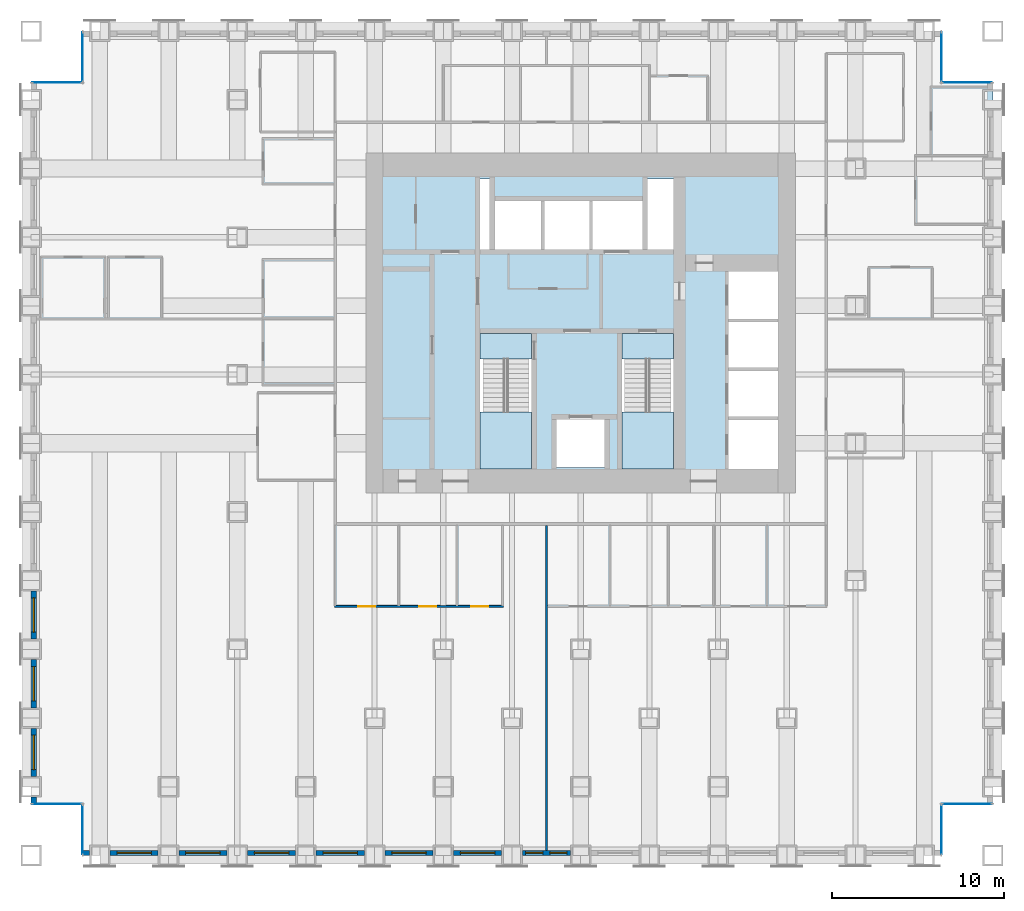
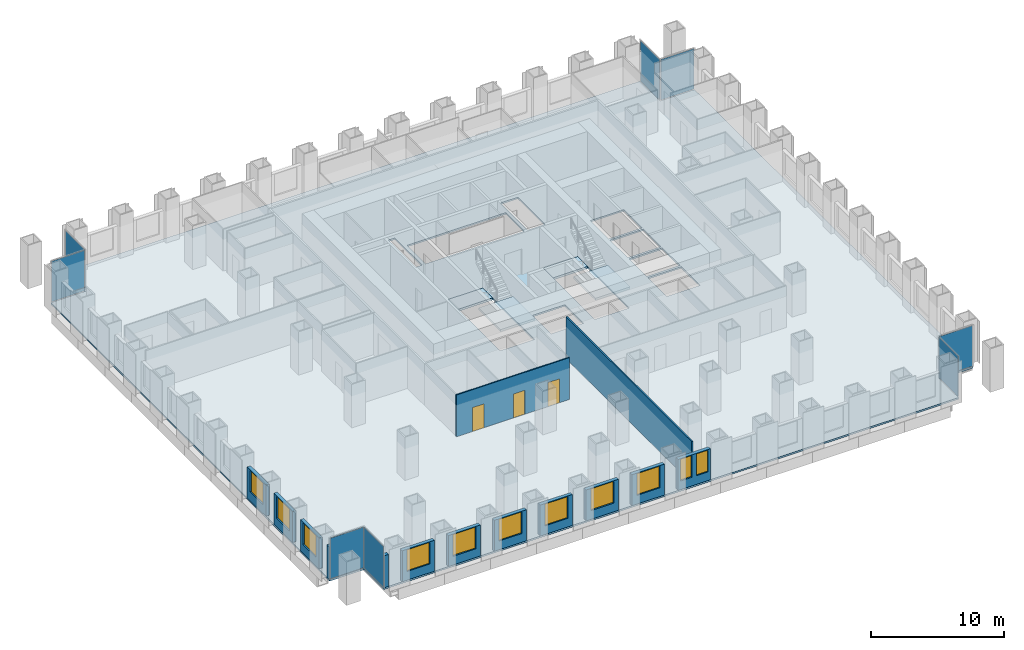
# One storey, part 8 of 15: 14 walls, 11 windows, 8 plates, 5 slabs, 3 doors, 14 openings, 10 elements without a shape of their own.
"""IFC4 building model written with IfcOpenShell, lengths in metres."""

from ifc_helpers import new_model, si_unit, direction, frame, frame_2d, origin, origin_2d, place, context, subcontext, project, spatial, polyline, rectangle, outline, extrude, material, layer, layer_set, type_object, element, fill, aggregate, save


model = new_model("IFC4")

# Units and contexts
model_context = context("Model", 3, precision=1e-05, world=origin(), true_north=direction((0.0, 1.0)))
body_context = subcontext(model_context, "Body", "Model", "MODEL_VIEW")
ifc_project = project(units=[si_unit("LENGTHUNIT", "METRE"), si_unit("AREAUNIT", "SQUARE_METRE"), si_unit("VOLUMEUNIT", "CUBIC_METRE"), si_unit("PLANEANGLEUNIT", "RADIAN"), si_unit("MASSUNIT", "GRAM", prefix="KILO")], contexts=[model_context])

# Site, building, storey
site_placement = place(None, origin())
site = spatial("IfcSite", under=ifc_project, at=site_placement, CompositionType="ELEMENT")
building_placement = place(site_placement, origin())
building = spatial("IfcBuilding", under=site, at=building_placement, Name="Rimbunsela Tower", CompositionType="ELEMENT")
storey_placement = place(building_placement, frame((0.0, 0.0, 19.0)))
storey = spatial("IfcBuildingStorey", under=building, at=storey_placement, Name="L04", CompositionType="ELEMENT", Elevation=19.0)

# Slab
ifc_material_1 = material(Name="Concrete fc' 35 MPa", Category="concrete")
ifc_layer_1 = layer(ifc_material_1, 0.14990234375)
ifc_layer_set_1 = layer_set([ifc_layer_1], Name="Floor slab 150")
slab_type_1 = type_object("IfcSlabType", Name="Floor slab 150", PredefinedType="FLOOR", material=ifc_layer_set_1)
slab_1_placement = place(storey_placement, frame((0.0, 0.0, -0.14990234375)))
element("IfcSlab", 1, at=slab_1_placement, inside=storey, type_object=slab_type_1, Name="Floor slab L04", PredefinedType="FLOOR", context=body_context, shape_type="SweptSolid", body=[
    extrude(outline(polyline([(1.0, -4.0), (51.0, -4.0), (51.0, -1.0), (54.0, -1.0), (54.0, 41.0), (51.0, 41.0), (51.0, 44.0), (1.0, 44.0), (1.0, 41.0), (-2.0, 41.0), (-2.0, -1.0), (1.0, -1.0), (1.0, -4.0)]), holes=[polyline([(27.14990234375, 18.60009765625), (27.14990234375, 26.39990234375), (24.14990234375, 26.39990234375), (24.14990234375, 18.60009765625), (27.14990234375, 18.60009765625)]), polyline([(24.699951171875, 31.300048828125), (24.699951171875, 35.39990234375), (24.14990234375, 35.39990234375), (24.14990234375, 31.300048828125), (24.699951171875, 31.300048828125)]), polyline([(25.0, 34.10009765625), (25.0, 31.300048828125), (33.60009765625, 31.300048828125), (33.60009765625, 34.10009765625), (25.0, 34.10009765625)]), polyline([(31.39990234375, 21.39990234375), (28.60009765625, 21.39990234375), (28.60009765625, 18.60009765625), (31.39990234375, 18.60009765625), (31.39990234375, 21.39990234375)]), polyline([(35.39990234375, 18.60009765625), (35.39990234375, 26.39990234375), (32.39990234375, 26.39990234375), (32.39990234375, 18.60009765625), (35.39990234375, 18.60009765625)]), polyline([(35.39990234375, 31.300048828125), (35.39990234375, 35.39990234375), (33.89990234375, 35.39990234375), (33.89990234375, 31.300048828125), (35.39990234375, 31.300048828125)]), polyline([(41.5, 21.35009765625), (38.60009765625, 21.35009765625), (38.60009765625, 18.5), (41.5, 18.5), (41.5, 21.35009765625)]), polyline([(41.5, 21.550048828125), (41.5, 24.199951171875), (38.60009765625, 24.199951171875), (38.60009765625, 21.550048828125), (41.5, 21.550048828125)]), polyline([(41.5, 27.050048828125), (38.60009765625, 27.050048828125), (38.60009765625, 24.39990234375), (41.5, 24.39990234375), (41.5, 27.050048828125)]), polyline([(41.5, 27.25), (41.5, 30.0), (38.60009765625, 30.0), (38.60009765625, 27.25), (41.5, 27.25)])]), origin(), (0.0, 0.0, 1.0), 0.14990234375),
])

# Curtain wall, plate
ifc_material_2 = material(Name="Aluminium curtain wall", Category="aluminium")
curtain_wall_type = type_object("IfcCurtainWallType", Name="Corner glazing", PredefinedType="USERDEFINED", material=ifc_material_2)
curtain_wall_1_placement = place(storey_placement, origin())
curtain_wall_1 = element("IfcCurtainWall", 2, at=curtain_wall_1_placement, inside=storey, type_object=curtain_wall_type, Name="Corner glazing L04", ObjectType="CORNER GLAZING", PredefinedType="USERDEFINED")
ifc_material_3 = material(Name="Clear double glazing", Category="glass")
ifc_layer_2 = layer(ifc_material_3, 0.028076171875)
ifc_layer_set_2 = layer_set([ifc_layer_2], Name="Glazed panel clear")
plate_type = type_object("IfcPlateType", Name="Glazed panel clear", PredefinedType="CURTAIN_PANEL", material=ifc_layer_set_2)
plate_1_placement = place(storey_placement, frame((51.0, -2.5, 0.06005859375), z_axis=(0.0, 0.0, 1.0), x_axis=(0.0, 1.0, 0.0)))
plate_1 = element("IfcPlate", 3, at=plate_1_placement, type_object=plate_type, Name="CW5 panel 1.1", PredefinedType="CURTAIN_PANEL", context=body_context, shape_type="SweptSolid", body=[
    extrude(rectangle(XDim=2.8798828125, YDim=0.028076171875, at=origin_2d()), origin(), (0.0, 0.0, 1.0), 3.72998046875),
])
aggregate(curtain_wall_1, [plate_1])

curtain_wall_2_placement = place(storey_placement, origin())
curtain_wall_2 = element("IfcCurtainWall", 4, at=curtain_wall_2_placement, inside=storey, type_object=curtain_wall_type, Name="Corner glazing L04", ObjectType="CORNER GLAZING", PredefinedType="USERDEFINED")
plate_2_placement = place(storey_placement, frame((52.5, -1.0, 0.06005859375), z_axis=(0.0, 0.0, 1.0), x_axis=(1.0, 0.0, 0.0)))
plate_2 = element("IfcPlate", 5, at=plate_2_placement, type_object=plate_type, Name="CW5 panel 1.1", PredefinedType="CURTAIN_PANEL", context=body_context, shape_type="SweptSolid", body=[
    extrude(rectangle(XDim=2.8798828125, YDim=0.028076171875, at=origin_2d()), origin(), (0.0, 0.0, 1.0), 3.72998046875),
])
aggregate(curtain_wall_2, [plate_2])

curtain_wall_3_placement = place(storey_placement, origin())
curtain_wall_3 = element("IfcCurtainWall", 6, at=curtain_wall_3_placement, inside=storey, type_object=curtain_wall_type, Name="Corner glazing L04", ObjectType="CORNER GLAZING", PredefinedType="USERDEFINED")
plate_3_placement = place(storey_placement, frame((52.5, 41.0, 0.06005859375), z_axis=(0.0, 0.0, 1.0), x_axis=(-1.0, 0.0, 0.0)))
plate_3 = element("IfcPlate", 7, at=plate_3_placement, type_object=plate_type, Name="CW5 panel 1.1", PredefinedType="CURTAIN_PANEL", context=body_context, shape_type="SweptSolid", body=[
    extrude(rectangle(XDim=2.8798828125, YDim=0.028076171875, at=origin_2d()), origin(), (0.0, 0.0, 1.0), 3.72998046875),
])
aggregate(curtain_wall_3, [plate_3])

curtain_wall_4_placement = place(storey_placement, origin())
curtain_wall_4 = element("IfcCurtainWall", 8, at=curtain_wall_4_placement, inside=storey, type_object=curtain_wall_type, Name="Corner glazing L04", ObjectType="CORNER GLAZING", PredefinedType="USERDEFINED")
plate_4_placement = place(storey_placement, frame((51.0, 42.5, 0.06005859375), z_axis=(0.0, 0.0, 1.0), x_axis=(0.0, 1.0, 0.0)))
plate_4 = element("IfcPlate", 9, at=plate_4_placement, type_object=plate_type, Name="CW5 panel 1.1", PredefinedType="CURTAIN_PANEL", context=body_context, shape_type="SweptSolid", body=[
    extrude(rectangle(XDim=2.8798828125, YDim=0.028076171875, at=origin_2d()), origin(), (0.0, 0.0, 1.0), 3.72998046875),
])
aggregate(curtain_wall_4, [plate_4])

curtain_wall_5_placement = place(storey_placement, origin())
curtain_wall_5 = element("IfcCurtainWall", 10, at=curtain_wall_5_placement, inside=storey, type_object=curtain_wall_type, Name="Corner glazing L04", ObjectType="CORNER GLAZING", PredefinedType="USERDEFINED")
plate_5_placement = place(storey_placement, frame((1.0, 42.5, 0.06005859375), z_axis=(0.0, 0.0, 1.0), x_axis=(0.0, -1.0, 0.0)))
plate_5 = element("IfcPlate", 11, at=plate_5_placement, type_object=plate_type, Name="CW5 panel 1.1", PredefinedType="CURTAIN_PANEL", context=body_context, shape_type="SweptSolid", body=[
    extrude(rectangle(XDim=2.8798828125, YDim=0.028076171875, at=origin_2d()), origin(), (0.0, 0.0, 1.0), 3.72998046875),
])
aggregate(curtain_wall_5, [plate_5])

curtain_wall_6_placement = place(storey_placement, origin())
curtain_wall_6 = element("IfcCurtainWall", 12, at=curtain_wall_6_placement, inside=storey, type_object=curtain_wall_type, Name="Corner glazing L04", ObjectType="CORNER GLAZING", PredefinedType="USERDEFINED")
plate_6_placement = place(storey_placement, frame((-0.5, 41.0, 0.06005859375), z_axis=(0.0, 0.0, 1.0), x_axis=(-1.0, 0.0, 0.0)))
plate_6 = element("IfcPlate", 13, at=plate_6_placement, type_object=plate_type, Name="CW5 panel 1.1", PredefinedType="CURTAIN_PANEL", context=body_context, shape_type="SweptSolid", body=[
    extrude(rectangle(XDim=2.8798828125, YDim=0.028076171875, at=origin_2d()), origin(), (0.0, 0.0, 1.0), 3.72998046875),
])
aggregate(curtain_wall_6, [plate_6])

curtain_wall_7_placement = place(storey_placement, origin())
curtain_wall_7 = element("IfcCurtainWall", 14, at=curtain_wall_7_placement, inside=storey, type_object=curtain_wall_type, Name="Corner glazing L04", ObjectType="CORNER GLAZING", PredefinedType="USERDEFINED")
plate_7_placement = place(storey_placement, frame((-0.5, -1.0, 0.06005859375), z_axis=(0.0, 0.0, 1.0), x_axis=(1.0, 0.0, 0.0)))
plate_7 = element("IfcPlate", 15, at=plate_7_placement, type_object=plate_type, Name="CW5 panel 1.1", PredefinedType="CURTAIN_PANEL", context=body_context, shape_type="SweptSolid", body=[
    extrude(rectangle(XDim=2.8798828125, YDim=0.028076171875, at=origin_2d()), origin(), (0.0, 0.0, 1.0), 3.72998046875),
])
aggregate(curtain_wall_7, [plate_7])

curtain_wall_8_placement = place(storey_placement, origin())
curtain_wall_8 = element("IfcCurtainWall", 16, at=curtain_wall_8_placement, inside=storey, type_object=curtain_wall_type, Name="Corner glazing L04", ObjectType="CORNER GLAZING", PredefinedType="USERDEFINED")
plate_8_placement = place(storey_placement, frame((1.0, -2.5, 0.06005859375), z_axis=(0.0, 0.0, 1.0), x_axis=(0.0, -1.0, 0.0)))
plate_8 = element("IfcPlate", 17, at=plate_8_placement, type_object=plate_type, Name="CW5 panel 1.1", PredefinedType="CURTAIN_PANEL", context=body_context, shape_type="SweptSolid", body=[
    extrude(rectangle(XDim=2.8798828125, YDim=0.028076171875, at=origin_2d()), origin(), (0.0, 0.0, 1.0), 3.72998046875),
])
aggregate(curtain_wall_8, [plate_8])

# Stair, slabs
ifc_material_4 = material(Name="Concrete fc' 35 MPa", Category="concrete")
stair_type = type_object("IfcStairType", Name="Exit stair 24 risers", PredefinedType="HALF_TURN_STAIR", material=ifc_material_4)
stair_1_placement = place(storey_placement, origin())
stair_1 = element("IfcStair", 18, at=stair_1_placement, inside=storey, type_object=stair_type, Name="Exit stair A L04", PredefinedType="HALF_TURN_STAIR")
ifc_material_5 = material(Name="Concrete fc' 35 MPa", Category="concrete")
ifc_layer_3 = layer(ifc_material_5, 0.199951171875)
ifc_layer_set_3 = layer_set([ifc_layer_3], Name="Stair landing 200")
slab_type_2 = type_object("IfcSlabType", Name="Stair landing 200", PredefinedType="LANDING", material=ifc_layer_set_3)
slab_2_placement = place(storey_placement, frame((0.0, 0.0, -0.199951171875)))
slab_2 = element("IfcSlab", 19, at=slab_2_placement, type_object=slab_type_2, Name="ST-A landing 1", PredefinedType="LANDING", context=body_context, shape_type="SweptSolid", body=[
    extrude(outline(polyline([(24.14990234375, 24.89990234375), (27.14990234375, 24.89990234375), (27.14990234375, 26.39990234375), (24.14990234375, 26.39990234375), (24.14990234375, 24.89990234375)])), origin(), (0.0, 0.0, 1.0), 0.199951171875),
])
slab_3_placement = place(storey_placement, frame((0.0, 0.0, 1.800048828125)))
slab_3 = element("IfcSlab", 20, at=slab_3_placement, type_object=slab_type_2, Name="ST-A landing 2", PredefinedType="LANDING", context=body_context, shape_type="SweptSolid", body=[
    extrude(outline(polyline([(24.14990234375, 18.5), (27.14990234375, 18.5), (27.14990234375, 21.820068359375), (24.14990234375, 21.820068359375), (24.14990234375, 18.5)])), origin(), (0.0, 0.0, 1.0), 0.199951171875),
])
aggregate(stair_1, [slab_2, slab_3])

stair_2_placement = place(storey_placement, origin())
stair_2 = element("IfcStair", 21, at=stair_2_placement, inside=storey, type_object=stair_type, Name="Exit stair B L04", PredefinedType="HALF_TURN_STAIR")
slab_4_placement = place(storey_placement, frame((0.0, 0.0, -0.199951171875)))
slab_4 = element("IfcSlab", 22, at=slab_4_placement, type_object=slab_type_2, Name="ST-B landing 1", PredefinedType="LANDING", context=body_context, shape_type="SweptSolid", body=[
    extrude(outline(polyline([(32.39990234375, 24.89990234375), (35.39990234375, 24.89990234375), (35.39990234375, 26.39990234375), (32.39990234375, 26.39990234375), (32.39990234375, 24.89990234375)])), origin(), (0.0, 0.0, 1.0), 0.199951171875),
])
slab_5_placement = place(storey_placement, frame((0.0, 0.0, 1.800048828125)))
slab_5 = element("IfcSlab", 23, at=slab_5_placement, type_object=slab_type_2, Name="ST-B landing 2", PredefinedType="LANDING", context=body_context, shape_type="SweptSolid", body=[
    extrude(outline(polyline([(32.39990234375, 18.5), (35.39990234375, 18.5), (35.39990234375, 21.820068359375), (32.39990234375, 21.820068359375), (32.39990234375, 18.5)])), origin(), (0.0, 0.0, 1.0), 0.199951171875),
])
aggregate(stair_2, [slab_4, slab_5])

# Wall, openings, doors
ifc_material_6 = material(Name="Gypsum board on steel studs", Category="steel")
ifc_layer_4 = layer(ifc_material_6, 0.10009765625)
ifc_layer_set_4 = layer_set([ifc_layer_4], Name="Office partition 100")
wall_type_1 = type_object("IfcWallType", Name="Office partition 100", PredefinedType="PARTITIONING", material=ifc_layer_set_4)
wall_1_placement = place(storey_placement, frame((15.64990234375, 10.5, 0.0), z_axis=(0.0, 0.0, 1.0), x_axis=(1.0, 0.0, 0.0)))
wall_1 = element("IfcWall", 24, at=wall_1_placement, inside=storey, type_object=wall_type_1, Name="Office partition", PredefinedType="PARTITIONING", context=body_context, shape_type="SweptSolid", body=[
    extrude(rectangle(XDim=9.85009765625, YDim=0.10009765625, at=frame_2d((4.925048828125, 0.0))), origin(), (0.0, 0.0, 1.0), 3.85009765625),
])
opening_1_placement = place(wall_1_placement, frame((1.39990234375, 0.0, 0.0)))
opening_1 = element("IfcOpeningElement", 25, at=opening_1_placement, cuts=wall_1, Name="Opening D17", PredefinedType="OPENING", context=body_context, shape_type="SweptSolid", body=[
    extrude(rectangle(XDim=1.0, YDim=2.199951171875, at=frame_2d((0.5, 1.10009765625))), frame((0.0, 0.06005859375, 0.0), z_axis=(0.0, -1.0, 0.0), x_axis=(1.0, 0.0, 0.0)), (0.0, 0.0, 1.0), 0.1201171875),
])
opening_2_placement = place(wall_1_placement, frame((4.949951171875, 0.0, 0.0)))
opening_2 = element("IfcOpeningElement", 26, at=opening_2_placement, cuts=wall_1, Name="Opening D16", PredefinedType="OPENING", context=body_context, shape_type="SweptSolid", body=[
    extrude(rectangle(XDim=1.0, YDim=2.199951171875, at=frame_2d((0.5, 1.10009765625))), frame((0.0, 0.06005859375, 0.0), z_axis=(0.0, -1.0, 0.0), x_axis=(1.0, 0.0, 0.0)), (0.0, 0.0, 1.0), 0.1201171875),
])
opening_3_placement = place(wall_1_placement, frame((7.97509765625, 0.0, 0.0)))
opening_3 = element("IfcOpeningElement", 27, at=opening_3_placement, cuts=wall_1, Name="Opening D16", PredefinedType="OPENING", context=body_context, shape_type="SweptSolid", body=[
    extrude(rectangle(XDim=1.0, YDim=2.199951171875, at=frame_2d((0.5, 1.10009765625))), frame((0.0, 0.06005859375, 0.0), z_axis=(0.0, -1.0, 0.0), x_axis=(1.0, 0.0, 0.0)), (0.0, 0.0, 1.0), 0.1201171875),
])
ifc_material_7 = material(Name="Glazed aluminium door", Category="aluminium")
door_type_1 = type_object("IfcDoorType", Name="Meeting room door 1000 glazed", OperationType="SINGLE_SWING_RIGHT", PredefinedType="DOOR", material=ifc_material_7)
door_1_placement = place(opening_1_placement, origin())
door_1 = element("IfcDoor", 28, at=door_1_placement, inside=storey, type_object=door_type_1, Name="Meeting room door", OperationType="SINGLE_SWING_RIGHT", OverallHeight=2.199951171875, OverallWidth=1.0, PredefinedType="DOOR", context=body_context, shape_type="SweptSolid", body=[
    extrude(rectangle(XDim=1.0, YDim=2.199951171875, at=frame_2d((0.5, 1.10009765625))), frame((0.0, 0.02490234375, 0.0), z_axis=(0.0, -1.0, 0.0), x_axis=(1.0, 0.0, 0.0)), (0.0, 0.0, 1.0), 0.050048828125),
])
fill(opening_1, door_1)
ifc_material_8 = material(Name="Timber door", Category="wood")
door_type_2 = type_object("IfcDoorType", Name="Office door 1000", OperationType="SINGLE_SWING_LEFT", PredefinedType="DOOR", material=ifc_material_8)
door_2_placement = place(opening_2_placement, origin())
door_2 = element("IfcDoor", 29, at=door_2_placement, inside=storey, type_object=door_type_2, Name="Office door", OperationType="SINGLE_SWING_LEFT", OverallHeight=2.199951171875, OverallWidth=1.0, PredefinedType="DOOR", context=body_context, shape_type="SweptSolid", body=[
    extrude(rectangle(XDim=1.0, YDim=2.199951171875, at=frame_2d((0.5, 1.10009765625))), frame((0.0, 0.02490234375, 0.0), z_axis=(0.0, -1.0, 0.0), x_axis=(1.0, 0.0, 0.0)), (0.0, 0.0, 1.0), 0.050048828125),
])
fill(opening_2, door_2)
door_3_placement = place(opening_3_placement, origin())
door_3 = element("IfcDoor", 30, at=door_3_placement, inside=storey, type_object=door_type_2, Name="Office door", OperationType="SINGLE_SWING_LEFT", OverallHeight=2.199951171875, OverallWidth=1.0, PredefinedType="DOOR", context=body_context, shape_type="SweptSolid", body=[
    extrude(rectangle(XDim=1.0, YDim=2.199951171875, at=frame_2d((0.5, 1.10009765625))), frame((0.0, 0.02490234375, 0.0), z_axis=(0.0, -1.0, 0.0), x_axis=(1.0, 0.0, 0.0)), (0.0, 0.0, 1.0), 0.050048828125),
])
fill(opening_3, door_3)

# Wall
ifc_material_9 = material(Name="Precast concrete fc' 35 MPa", Category="concrete")
ifc_layer_5 = layer(ifc_material_9, 0.300048828125)
ifc_layer_set_5 = layer_set([ifc_layer_5], Name="Precast concrete fc' 35 MPa")
wall_type_2 = type_object("IfcWallType", Name="Precast facade panel 300", PredefinedType="ELEMENTEDWALL", material=ifc_layer_set_5)
wall_2_placement = place(storey_placement, frame((1.030029296875, -3.85009765625, 0.0), z_axis=(0.0, 0.0, 1.0), x_axis=(1.0, 0.0, 0.0)))
element("IfcWall", 31, at=wall_2_placement, inside=storey, type_object=wall_type_2, Name="Facade panel S L04", PredefinedType="ELEMENTEDWALL", context=body_context, shape_type="SweptSolid", body=[
    extrude(rectangle(XDim=0.369873046875, YDim=0.300048828125, at=frame_2d((0.18505859375, 0.0))), origin(), (0.0, 0.0, 1.0), 2.949951171875),
])

# Wall, opening, window
wall_3_placement = place(storey_placement, frame((2.60009765625, -3.85009765625, 0.0), z_axis=(0.0, 0.0, 1.0), x_axis=(1.0, 0.0, 0.0)))
wall_3 = element("IfcWall", 32, at=wall_3_placement, inside=storey, type_object=wall_type_2, Name="Facade panel S L04", PredefinedType="ELEMENTEDWALL", context=body_context, shape_type="SweptSolid", body=[
    extrude(rectangle(XDim=2.7998046875, YDim=0.300048828125, at=frame_2d((1.39990234375, 0.0))), origin(), (0.0, 0.0, 1.0), 2.85009765625),
])
opening_4_placement = place(wall_3_placement, frame((0.39990234375, 0.0, 0.800048828125)))
opening_4 = element("IfcOpeningElement", 33, at=opening_4_placement, cuts=wall_3, Name="Opening W1", PredefinedType="OPENING", context=body_context, shape_type="SweptSolid", body=[
    extrude(rectangle(XDim=2.0, YDim=2.0, at=frame_2d((1.0, 1.0))), frame((0.0, 0.159912109375, 0.0), z_axis=(0.0, -1.0, 0.0), x_axis=(1.0, 0.0, 0.0)), (0.0, 0.0, 1.0), 0.320068359375),
])
ifc_material_10 = material(Name="Clear glass in aluminium frame", Category="aluminium")
window_type_1 = type_object("IfcWindowType", Name="Window W1 2000x2000", PartitioningType="DOUBLE_PANEL_VERTICAL", PredefinedType="WINDOW", material=ifc_material_10)
window_1_placement = place(opening_4_placement, origin())
window_1 = element("IfcWindow", 34, at=window_1_placement, inside=storey, type_object=window_type_1, Name="Window L04", OverallHeight=2.0, OverallWidth=2.0, PartitioningType="SINGLE_PANEL", PredefinedType="WINDOW", context=body_context, shape_type="SweptSolid", body=[
    extrude(rectangle(XDim=2.0, YDim=2.0, at=frame_2d((1.0, 1.0))), frame((0.0, 0.030029296875, 0.0), z_axis=(0.0, -1.0, 0.0), x_axis=(1.0, 0.0, 0.0)), (0.0, 0.0, 1.0), 0.06005859375),
])
fill(opening_4, window_1)

wall_4_placement = place(storey_placement, frame((6.60009765625, -3.85009765625, 0.0), z_axis=(0.0, 0.0, 1.0), x_axis=(1.0, 0.0, 0.0)))
wall_4 = element("IfcWall", 35, at=wall_4_placement, inside=storey, type_object=wall_type_2, Name="Facade panel S L04", PredefinedType="ELEMENTEDWALL", context=body_context, shape_type="SweptSolid", body=[
    extrude(rectangle(XDim=2.7998046875, YDim=0.300048828125, at=frame_2d((1.39990234375, 0.0))), origin(), (0.0, 0.0, 1.0), 2.85009765625),
])
opening_5_placement = place(wall_4_placement, frame((0.39990234375, 0.0, 0.800048828125)))
opening_5 = element("IfcOpeningElement", 36, at=opening_5_placement, cuts=wall_4, Name="Opening W1", PredefinedType="OPENING", context=body_context, shape_type="SweptSolid", body=[
    extrude(rectangle(XDim=2.0, YDim=2.0, at=frame_2d((1.0, 1.0))), frame((0.0, 0.159912109375, 0.0), z_axis=(0.0, -1.0, 0.0), x_axis=(1.0, 0.0, 0.0)), (0.0, 0.0, 1.0), 0.320068359375),
])
window_2_placement = place(opening_5_placement, origin())
window_2 = element("IfcWindow", 37, at=window_2_placement, inside=storey, type_object=window_type_1, Name="Window L04", OverallHeight=2.0, OverallWidth=2.0, PartitioningType="SINGLE_PANEL", PredefinedType="WINDOW", context=body_context, shape_type="SweptSolid", body=[
    extrude(rectangle(XDim=2.0, YDim=2.0, at=frame_2d((1.0, 1.0))), frame((0.0, 0.030029296875, 0.0), z_axis=(0.0, -1.0, 0.0), x_axis=(1.0, 0.0, 0.0)), (0.0, 0.0, 1.0), 0.06005859375),
])
fill(opening_5, window_2)

wall_5_placement = place(storey_placement, frame((10.60009765625, -3.85009765625, 0.0), z_axis=(0.0, 0.0, 1.0), x_axis=(1.0, 0.0, 0.0)))
wall_5 = element("IfcWall", 38, at=wall_5_placement, inside=storey, type_object=wall_type_2, Name="Facade panel S L04", PredefinedType="ELEMENTEDWALL", context=body_context, shape_type="SweptSolid", body=[
    extrude(rectangle(XDim=2.7998046875, YDim=0.300048828125, at=frame_2d((1.39990234375, 0.0))), origin(), (0.0, 0.0, 1.0), 2.85009765625),
])
opening_6_placement = place(wall_5_placement, frame((0.39990234375, 0.0, 0.800048828125)))
opening_6 = element("IfcOpeningElement", 39, at=opening_6_placement, cuts=wall_5, Name="Opening W1", PredefinedType="OPENING", context=body_context, shape_type="SweptSolid", body=[
    extrude(rectangle(XDim=2.0, YDim=2.0, at=frame_2d((1.0, 1.0))), frame((0.0, 0.159912109375, 0.0), z_axis=(0.0, -1.0, 0.0), x_axis=(1.0, 0.0, 0.0)), (0.0, 0.0, 1.0), 0.320068359375),
])
window_3_placement = place(opening_6_placement, origin())
window_3 = element("IfcWindow", 40, at=window_3_placement, inside=storey, type_object=window_type_1, Name="Window L04", OverallHeight=2.0, OverallWidth=2.0, PartitioningType="SINGLE_PANEL", PredefinedType="WINDOW", context=body_context, shape_type="SweptSolid", body=[
    extrude(rectangle(XDim=2.0, YDim=2.0, at=frame_2d((1.0, 1.0))), frame((0.0, 0.030029296875, 0.0), z_axis=(0.0, -1.0, 0.0), x_axis=(1.0, 0.0, 0.0)), (0.0, 0.0, 1.0), 0.06005859375),
])
fill(opening_6, window_3)

wall_6_placement = place(storey_placement, frame((14.60009765625, -3.85009765625, 0.0), z_axis=(0.0, 0.0, 1.0), x_axis=(1.0, 0.0, 0.0)))
wall_6 = element("IfcWall", 41, at=wall_6_placement, inside=storey, type_object=wall_type_2, Name="Facade panel S L04", PredefinedType="ELEMENTEDWALL", context=body_context, shape_type="SweptSolid", body=[
    extrude(rectangle(XDim=2.7998046875, YDim=0.300048828125, at=frame_2d((1.39990234375, 0.0))), origin(), (0.0, 0.0, 1.0), 2.85009765625),
])
opening_7_placement = place(wall_6_placement, frame((0.39990234375, 0.0, 0.800048828125)))
opening_7 = element("IfcOpeningElement", 42, at=opening_7_placement, cuts=wall_6, Name="Opening W1", PredefinedType="OPENING", context=body_context, shape_type="SweptSolid", body=[
    extrude(rectangle(XDim=2.0, YDim=2.0, at=frame_2d((1.0, 1.0))), frame((0.0, 0.159912109375, 0.0), z_axis=(0.0, -1.0, 0.0), x_axis=(1.0, 0.0, 0.0)), (0.0, 0.0, 1.0), 0.320068359375),
])
window_4_placement = place(opening_7_placement, origin())
window_4 = element("IfcWindow", 43, at=window_4_placement, inside=storey, type_object=window_type_1, Name="Window L04", OverallHeight=2.0, OverallWidth=2.0, PartitioningType="SINGLE_PANEL", PredefinedType="WINDOW", context=body_context, shape_type="SweptSolid", body=[
    extrude(rectangle(XDim=2.0, YDim=2.0, at=frame_2d((1.0, 1.0))), frame((0.0, 0.030029296875, 0.0), z_axis=(0.0, -1.0, 0.0), x_axis=(1.0, 0.0, 0.0)), (0.0, 0.0, 1.0), 0.06005859375),
])
fill(opening_7, window_4)

wall_7_placement = place(storey_placement, frame((18.60009765625, -3.85009765625, 0.0), z_axis=(0.0, 0.0, 1.0), x_axis=(1.0, 0.0, 0.0)))
wall_7 = element("IfcWall", 44, at=wall_7_placement, inside=storey, type_object=wall_type_2, Name="Facade panel S L04", PredefinedType="ELEMENTEDWALL", context=body_context, shape_type="SweptSolid", body=[
    extrude(rectangle(XDim=2.7998046875, YDim=0.300048828125, at=frame_2d((1.39990234375, 0.0))), origin(), (0.0, 0.0, 1.0), 2.85009765625),
])
opening_8_placement = place(wall_7_placement, frame((0.39990234375, 0.0, 0.800048828125)))
opening_8 = element("IfcOpeningElement", 45, at=opening_8_placement, cuts=wall_7, Name="Opening W1", PredefinedType="OPENING", context=body_context, shape_type="SweptSolid", body=[
    extrude(rectangle(XDim=2.0, YDim=2.0, at=frame_2d((1.0, 1.0))), frame((0.0, 0.159912109375, 0.0), z_axis=(0.0, -1.0, 0.0), x_axis=(1.0, 0.0, 0.0)), (0.0, 0.0, 1.0), 0.320068359375),
])
window_5_placement = place(opening_8_placement, origin())
window_5 = element("IfcWindow", 46, at=window_5_placement, inside=storey, type_object=window_type_1, Name="Window L04", OverallHeight=2.0, OverallWidth=2.0, PartitioningType="SINGLE_PANEL", PredefinedType="WINDOW", context=body_context, shape_type="SweptSolid", body=[
    extrude(rectangle(XDim=2.0, YDim=2.0, at=frame_2d((1.0, 1.0))), frame((0.0, 0.030029296875, 0.0), z_axis=(0.0, -1.0, 0.0), x_axis=(1.0, 0.0, 0.0)), (0.0, 0.0, 1.0), 0.06005859375),
])
fill(opening_8, window_5)

wall_8_placement = place(storey_placement, frame((22.60009765625, -3.85009765625, 0.0), z_axis=(0.0, 0.0, 1.0), x_axis=(1.0, 0.0, 0.0)))
wall_8 = element("IfcWall", 47, at=wall_8_placement, inside=storey, type_object=wall_type_2, Name="Facade panel S L04", PredefinedType="ELEMENTEDWALL", context=body_context, shape_type="SweptSolid", body=[
    extrude(rectangle(XDim=2.7998046875, YDim=0.300048828125, at=frame_2d((1.39990234375, 0.0))), origin(), (0.0, 0.0, 1.0), 2.85009765625),
])
opening_9_placement = place(wall_8_placement, frame((0.39990234375, 0.0, 0.800048828125)))
opening_9 = element("IfcOpeningElement", 48, at=opening_9_placement, cuts=wall_8, Name="Opening W1", PredefinedType="OPENING", context=body_context, shape_type="SweptSolid", body=[
    extrude(rectangle(XDim=2.0, YDim=2.0, at=frame_2d((1.0, 1.0))), frame((0.0, 0.159912109375, 0.0), z_axis=(0.0, -1.0, 0.0), x_axis=(1.0, 0.0, 0.0)), (0.0, 0.0, 1.0), 0.320068359375),
])
window_6_placement = place(opening_9_placement, origin())
window_6 = element("IfcWindow", 49, at=window_6_placement, inside=storey, type_object=window_type_1, Name="Window L04", OverallHeight=2.0, OverallWidth=2.0, PartitioningType="SINGLE_PANEL", PredefinedType="WINDOW", context=body_context, shape_type="SweptSolid", body=[
    extrude(rectangle(XDim=2.0, YDim=2.0, at=frame_2d((1.0, 1.0))), frame((0.0, 0.030029296875, 0.0), z_axis=(0.0, -1.0, 0.0), x_axis=(1.0, 0.0, 0.0)), (0.0, 0.0, 1.0), 0.06005859375),
])
fill(opening_9, window_6)

# Wall, openings, windows
wall_9_placement = place(storey_placement, frame((26.60009765625, -3.85009765625, 0.0), z_axis=(0.0, 0.0, 1.0), x_axis=(1.0, 0.0, 0.0)))
wall_9 = element("IfcWall", 50, at=wall_9_placement, inside=storey, type_object=wall_type_2, Name="Facade panel S L04", PredefinedType="ELEMENTEDWALL", context=body_context, shape_type="SweptSolid", body=[
    extrude(rectangle(XDim=2.7998046875, YDim=0.300048828125, at=frame_2d((1.39990234375, 0.0))), origin(), (0.0, 0.0, 1.0), 2.85009765625),
])
opening_10_placement = place(wall_9_placement, frame((0.199951171875, 0.0, 0.800048828125)))
opening_10 = element("IfcOpeningElement", 51, at=opening_10_placement, cuts=wall_9, Name="Opening W5", PredefinedType="OPENING", context=body_context, shape_type="SweptSolid", body=[
    extrude(rectangle(XDim=1.0, YDim=2.0, at=frame_2d((0.5, 1.0))), frame((0.0, 0.159912109375, 0.0), z_axis=(0.0, -1.0, 0.0), x_axis=(1.0, 0.0, 0.0)), (0.0, 0.0, 1.0), 0.320068359375),
])
opening_11_placement = place(wall_9_placement, frame((1.60009765625, 0.0, 0.800048828125)))
opening_11 = element("IfcOpeningElement", 52, at=opening_11_placement, cuts=wall_9, Name="Opening W5", PredefinedType="OPENING", context=body_context, shape_type="SweptSolid", body=[
    extrude(rectangle(XDim=1.0, YDim=2.0, at=frame_2d((0.5, 1.0))), frame((0.0, 0.159912109375, 0.0), z_axis=(0.0, -1.0, 0.0), x_axis=(1.0, 0.0, 0.0)), (0.0, 0.0, 1.0), 0.320068359375),
])
ifc_material_11 = material(Name="Clear glass in aluminium frame", Category="aluminium")
window_type_2 = type_object("IfcWindowType", Name="Window W5 1000x2000", PartitioningType="SINGLE_PANEL", PredefinedType="WINDOW", material=ifc_material_11)
window_7_placement = place(opening_10_placement, origin())
window_7 = element("IfcWindow", 53, at=window_7_placement, inside=storey, type_object=window_type_2, Name="Window L04", OverallHeight=2.0, OverallWidth=1.0, PartitioningType="SINGLE_PANEL", PredefinedType="WINDOW", context=body_context, shape_type="SweptSolid", body=[
    extrude(rectangle(XDim=1.0, YDim=2.0, at=frame_2d((0.5, 1.0))), frame((0.0, 0.030029296875, 0.0), z_axis=(0.0, -1.0, 0.0), x_axis=(1.0, 0.0, 0.0)), (0.0, 0.0, 1.0), 0.06005859375),
])
fill(opening_10, window_7)
window_8_placement = place(opening_11_placement, origin())
window_8 = element("IfcWindow", 54, at=window_8_placement, inside=storey, type_object=window_type_2, Name="Window L04", OverallHeight=2.0, OverallWidth=1.0, PartitioningType="SINGLE_PANEL", PredefinedType="WINDOW", context=body_context, shape_type="SweptSolid", body=[
    extrude(rectangle(XDim=1.0, YDim=2.0, at=frame_2d((0.5, 1.0))), frame((0.0, 0.030029296875, 0.0), z_axis=(0.0, -1.0, 0.0), x_axis=(1.0, 0.0, 0.0)), (0.0, 0.0, 1.0), 0.06005859375),
])
fill(opening_11, window_8)

# Wall
wall_10_placement = place(storey_placement, frame((-1.85009765625, -0.60009765625, 0.0), z_axis=(0.0, 0.0, 1.0), x_axis=(0.0, -1.0, 0.0)))
element("IfcWall", 55, at=wall_10_placement, inside=storey, type_object=wall_type_2, Name="Facade panel W L04", PredefinedType="ELEMENTEDWALL", context=body_context, shape_type="SweptSolid", body=[
    extrude(rectangle(XDim=0.369873046875, YDim=0.300048828125, at=frame_2d((0.18505859375, 0.0))), origin(), (0.0, 0.0, 1.0), 2.949951171875),
])

# Wall, opening, window
wall_11_placement = place(storey_placement, frame((-1.85009765625, 3.39990234375, 0.0), z_axis=(0.0, 0.0, 1.0), x_axis=(0.0, -1.0, 0.0)))
wall_11 = element("IfcWall", 56, at=wall_11_placement, inside=storey, type_object=wall_type_2, Name="Facade panel W L04", PredefinedType="ELEMENTEDWALL", context=body_context, shape_type="SweptSolid", body=[
    extrude(rectangle(XDim=2.7998046875, YDim=0.300048828125, at=frame_2d((1.39990234375, 0.0))), origin(), (0.0, 0.0, 1.0), 2.85009765625),
])
opening_12_placement = place(wall_11_placement, frame((0.39990234375, 0.0, 0.800048828125)))
opening_12 = element("IfcOpeningElement", 57, at=opening_12_placement, cuts=wall_11, Name="Opening W1", PredefinedType="OPENING", context=body_context, shape_type="SweptSolid", body=[
    extrude(rectangle(XDim=2.0, YDim=2.0, at=frame_2d((1.0, 1.0))), frame((0.0, 0.159912109375, 0.0), z_axis=(0.0, -1.0, 0.0), x_axis=(1.0, 0.0, 0.0)), (0.0, 0.0, 1.0), 0.320068359375),
])
window_9_placement = place(opening_12_placement, origin())
window_9 = element("IfcWindow", 58, at=window_9_placement, inside=storey, type_object=window_type_1, Name="Window L04", OverallHeight=2.0, OverallWidth=2.0, PartitioningType="SINGLE_PANEL", PredefinedType="WINDOW", context=body_context, shape_type="SweptSolid", body=[
    extrude(rectangle(XDim=2.0, YDim=2.0, at=frame_2d((1.0, 1.0))), frame((0.0, 0.030029296875, 0.0), z_axis=(0.0, -1.0, 0.0), x_axis=(1.0, 0.0, 0.0)), (0.0, 0.0, 1.0), 0.06005859375),
])
fill(opening_12, window_9)

wall_12_placement = place(storey_placement, frame((-1.85009765625, 7.39990234375, 0.0), z_axis=(0.0, 0.0, 1.0), x_axis=(0.0, -1.0, 0.0)))
wall_12 = element("IfcWall", 59, at=wall_12_placement, inside=storey, type_object=wall_type_2, Name="Facade panel W L04", PredefinedType="ELEMENTEDWALL", context=body_context, shape_type="SweptSolid", body=[
    extrude(rectangle(XDim=2.7998046875, YDim=0.300048828125, at=frame_2d((1.39990234375, 0.0))), origin(), (0.0, 0.0, 1.0), 2.85009765625),
])
opening_13_placement = place(wall_12_placement, frame((0.39990234375, 0.0, 0.800048828125)))
opening_13 = element("IfcOpeningElement", 60, at=opening_13_placement, cuts=wall_12, Name="Opening W1", PredefinedType="OPENING", context=body_context, shape_type="SweptSolid", body=[
    extrude(rectangle(XDim=2.0, YDim=2.0, at=frame_2d((1.0, 1.0))), frame((0.0, 0.159912109375, 0.0), z_axis=(0.0, -1.0, 0.0), x_axis=(1.0, 0.0, 0.0)), (0.0, 0.0, 1.0), 0.320068359375),
])
window_10_placement = place(opening_13_placement, origin())
window_10 = element("IfcWindow", 61, at=window_10_placement, inside=storey, type_object=window_type_1, Name="Window L04", OverallHeight=2.0, OverallWidth=2.0, PartitioningType="SINGLE_PANEL", PredefinedType="WINDOW", context=body_context, shape_type="SweptSolid", body=[
    extrude(rectangle(XDim=2.0, YDim=2.0, at=frame_2d((1.0, 1.0))), frame((0.0, 0.030029296875, 0.0), z_axis=(0.0, -1.0, 0.0), x_axis=(1.0, 0.0, 0.0)), (0.0, 0.0, 1.0), 0.06005859375),
])
fill(opening_13, window_10)

wall_13_placement = place(storey_placement, frame((-1.85009765625, 11.39990234375, 0.0), z_axis=(0.0, 0.0, 1.0), x_axis=(0.0, -1.0, 0.0)))
wall_13 = element("IfcWall", 62, at=wall_13_placement, inside=storey, type_object=wall_type_2, Name="Facade panel W L04", PredefinedType="ELEMENTEDWALL", context=body_context, shape_type="SweptSolid", body=[
    extrude(rectangle(XDim=2.7998046875, YDim=0.300048828125, at=frame_2d((1.39990234375, 0.0))), origin(), (0.0, 0.0, 1.0), 2.85009765625),
])
opening_14_placement = place(wall_13_placement, frame((0.39990234375, 0.0, 0.800048828125)))
opening_14 = element("IfcOpeningElement", 63, at=opening_14_placement, cuts=wall_13, Name="Opening W1", PredefinedType="OPENING", context=body_context, shape_type="SweptSolid", body=[
    extrude(rectangle(XDim=2.0, YDim=2.0, at=frame_2d((1.0, 1.0))), frame((0.0, 0.159912109375, 0.0), z_axis=(0.0, -1.0, 0.0), x_axis=(1.0, 0.0, 0.0)), (0.0, 0.0, 1.0), 0.320068359375),
])
window_11_placement = place(opening_14_placement, origin())
window_11 = element("IfcWindow", 64, at=window_11_placement, inside=storey, type_object=window_type_1, Name="Window L04", OverallHeight=2.0, OverallWidth=2.0, PartitioningType="SINGLE_PANEL", PredefinedType="WINDOW", context=body_context, shape_type="SweptSolid", body=[
    extrude(rectangle(XDim=2.0, YDim=2.0, at=frame_2d((1.0, 1.0))), frame((0.0, 0.030029296875, 0.0), z_axis=(0.0, -1.0, 0.0), x_axis=(1.0, 0.0, 0.0)), (0.0, 0.0, 1.0), 0.06005859375),
])
fill(opening_14, window_11)

# Wall
ifc_material_12 = material(Name="Gypsum board on steel studs", Category="steel")
ifc_layer_6 = layer(ifc_material_12, 0.1201171875)
ifc_layer_set_6 = layer_set([ifc_layer_6], Name="Tenancy partition 120")
wall_type_3 = type_object("IfcWallType", Name="Tenancy partition 120", PredefinedType="PARTITIONING", material=ifc_layer_set_6)
wall_14_placement = place(storey_placement, frame((28.0, -3.699951171875, 0.0), z_axis=(0.0, 0.0, 1.0), x_axis=(0.0, 1.0, 0.0)))
element("IfcWall", 65, at=wall_14_placement, inside=storey, type_object=wall_type_3, Name="Tenancy partition south", PredefinedType="PARTITIONING", context=body_context, shape_type="SweptSolid", body=[
    extrude(rectangle(XDim=18.925048828125, YDim=0.1201171875, at=frame_2d((9.46240234375, 0.0))), origin(), (0.0, 0.0, 1.0), 3.85009765625),
])

save(model, "model.ifc")
